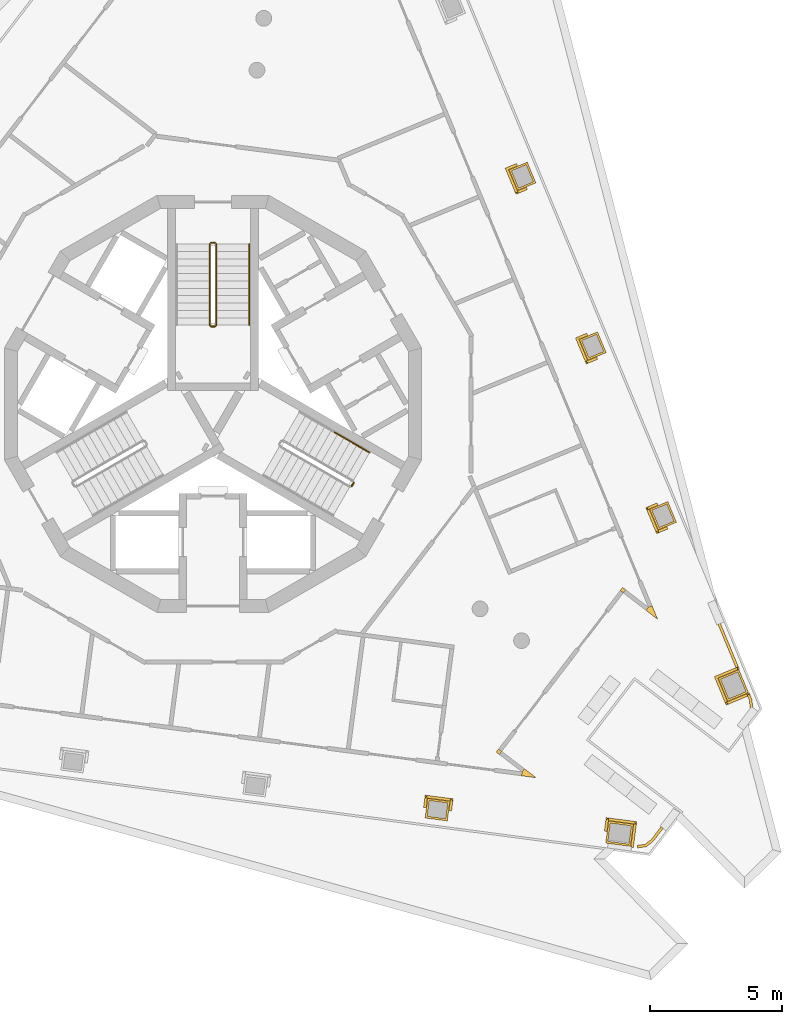
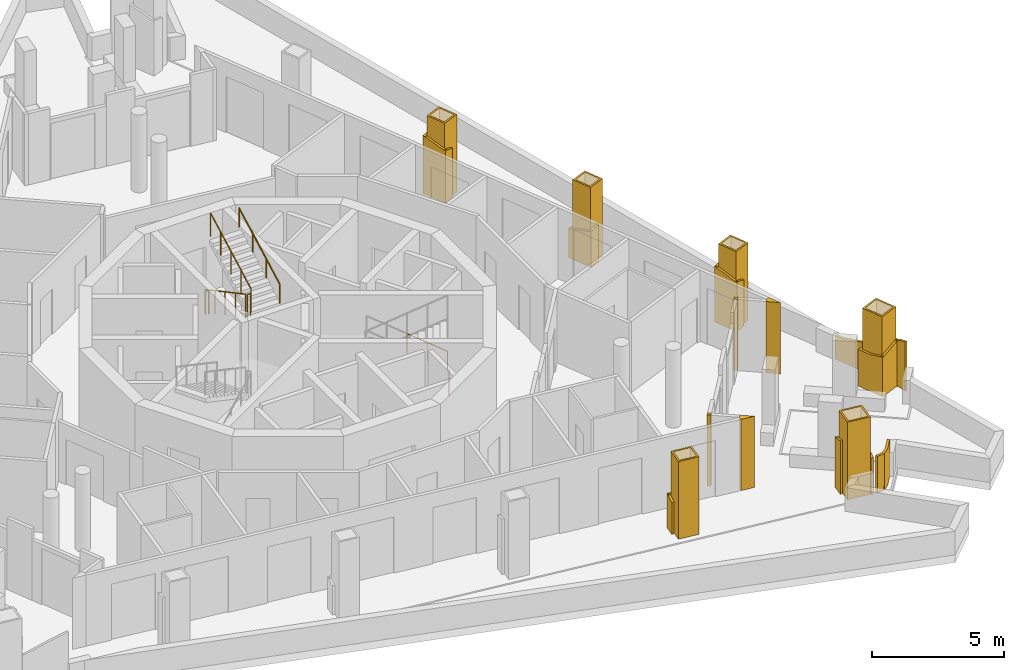
# One storey, part 10 of 12: 14 railings, 10 coverings.
"""IFC4 building model written with IfcOpenShell, lengths in metres."""

from ifc_helpers import new_model, si_unit, direction, frame, origin, origin_2d, place, context, subcontext, project, spatial, polyline, circle, outline, extrude, material, layer, layer_set, type_object, element, save


model = new_model("IFC4")

# Units and contexts
model_context = context("Model", 3, precision=1e-05, world=origin(), true_north=direction((0.0, 1.0)))
body_context = subcontext(model_context, "Body", "Model", "MODEL_VIEW")
ifc_project = project(units=[si_unit("LENGTHUNIT", "METRE"), si_unit("AREAUNIT", "SQUARE_METRE"), si_unit("VOLUMEUNIT", "CUBIC_METRE"), si_unit("PLANEANGLEUNIT", "RADIAN"), si_unit("MASSUNIT", "GRAM", prefix="KILO")], contexts=[model_context])

# Site, building, storey
site_placement = place(None, origin())
site = spatial("IfcSite", under=ifc_project, at=site_placement, CompositionType="ELEMENT")
building_placement = place(site_placement, origin())
building = spatial("IfcBuilding", under=site, at=building_placement, Name="Trine Commons Tower", CompositionType="ELEMENT")
storey_placement = place(building_placement, frame((0.0, 0.0, 271.800048828125)))
storey = spatial("IfcBuildingStorey", under=building, at=storey_placement, Name="L71", CompositionType="ELEMENT", Elevation=271.800048828125)

# Coverings
ifc_material_1 = material(Name="Aluminium-framed insulated wall panel", Category="aluminium")
ifc_layer_1 = layer(ifc_material_1, 0.14990234375)
ifc_layer_set_1 = layer_set([ifc_layer_1], Name="Aluminium-framed insulated wall panel")
covering_type_1 = type_object("IfcCoveringType", Name="Glazing corner post, aluminium", PredefinedType="CLADDING", material=ifc_layer_set_1)
covering_1_placement = place(storey_placement, origin())
element("IfcCovering", 1, at=covering_1_placement, inside=storey, type_object=covering_type_1, Name="Glazing corner post 8-06", PredefinedType="CLADDING", context=body_context, shape_type="SweptSolid", body=[
    extrude(outline(polyline([(96.436767578125, 54.664794921875), (96.880859375, 54.32421875), (96.66650390625, 54.84130859375), (96.528076171875, 54.783935546875), (96.436767578125, 54.664794921875)])), origin(), (0.0, 0.0, 1.0), 3.300048828125),
])
covering_2_placement = place(storey_placement, origin())
element("IfcCovering", 2, at=covering_2_placement, inside=storey, type_object=covering_type_1, Name="Glazing corner post 8-07", PredefinedType="CLADDING", context=body_context, shape_type="SweptSolid", body=[
    extrude(outline(polyline([(95.456298828125, 55.4169921875), (95.575439453125, 55.32568359375), (95.666748046875, 55.44482421875), (95.547607421875, 55.5361328125), (95.456298828125, 55.4169921875)])), origin(), (0.0, 0.0, 1.0), 3.300048828125),
])
covering_3_placement = place(storey_placement, origin())
element("IfcCovering", 3, at=covering_3_placement, inside=storey, type_object=covering_type_1, Name="Glazing corner post 8-08", PredefinedType="CLADDING", context=body_context, shape_type="SweptSolid", body=[
    extrude(outline(polyline([(90.86962890625, 49.193115234375), (90.9609375, 49.312255859375), (90.841796875, 49.403564453125), (90.75048828125, 49.284423828125), (90.86962890625, 49.193115234375)])), origin(), (0.0, 0.0, 1.0), 3.300048828125),
])
covering_4_placement = place(storey_placement, origin())
element("IfcCovering", 4, at=covering_4_placement, inside=storey, type_object=covering_type_1, Name="Glazing corner post 8-09", PredefinedType="CLADDING", context=body_context, shape_type="SweptSolid", body=[
    extrude(outline(polyline([(91.71142578125, 48.383544921875), (92.266357421875, 48.310302734375), (91.822265625, 48.651123046875), (91.73095703125, 48.5322265625), (91.71142578125, 48.383544921875)])), origin(), (0.0, 0.0, 1.0), 3.300048828125),
])
ifc_material_2 = material(Name="Limestone, honed", Category="masonry")
ifc_layer_2 = layer(ifc_material_2, 0.074951171875)
ifc_layer_set_2 = layer_set([ifc_layer_2], Name="Limestone, honed")
covering_type_2 = type_object("IfcCoveringType", Name="Limestone column cladding 75", PredefinedType="CLADDING", material=ifc_layer_set_2)
covering_5_placement = place(storey_placement, origin())
element("IfcCovering", 5, at=covering_5_placement, inside=storey, type_object=covering_type_2, Name="Limestone pier cladding 8-01", PredefinedType="CLADDING", context=body_context, shape_type="SweptSolid", body=[
    extrude(outline(polyline([(95.019287109375, 46.672119140625), (94.908447265625, 45.829345703125), (95.850341796875, 45.705322265625), (95.961181640625, 46.548095703125), (95.019287109375, 46.672119140625)]), holes=[polyline([(95.083984375, 46.587890625), (94.992431640625, 45.893798828125), (95.78564453125, 45.78955078125), (95.877197265625, 46.4833984375), (95.083984375, 46.587890625)])]), origin(), (0.0, 0.0, 1.0), 3.599853515625),
])
covering_6_placement = place(storey_placement, origin())
element("IfcCovering", 6, at=covering_6_placement, inside=storey, type_object=covering_type_2, Name="Limestone pier cladding 8-02", PredefinedType="CLADDING", context=body_context, shape_type="SweptSolid", body=[
    extrude(outline(polyline([(88.1494140625, 47.526123046875), (88.051513671875, 46.78271484375), (88.89404296875, 46.671630859375), (88.991943359375, 47.415283203125), (88.1494140625, 47.526123046875)]), holes=[polyline([(88.2138671875, 47.44189453125), (88.135498046875, 46.84716796875), (88.82958984375, 46.755859375), (88.907958984375, 47.3505859375), (88.2138671875, 47.44189453125)])]), origin(), (0.0, 0.0, 1.0), 3.599853515625),
])
covering_7_placement = place(storey_placement, origin())
element("IfcCovering", 7, at=covering_7_placement, inside=storey, type_object=covering_type_2, Name="Limestone pier cladding 8-15", PredefinedType="CLADDING", context=body_context, shape_type="SweptSolid", body=[
    extrude(outline(polyline([(91.92919921875, 71.6748046875), (91.236083984375, 71.3876953125), (91.5615234375, 70.6025390625), (92.25439453125, 70.8896484375), (91.92919921875, 71.6748046875)]), holes=[polyline([(91.888427734375, 71.576904296875), (91.334228515625, 71.347412109375), (91.60205078125, 70.700439453125), (92.156494140625, 70.93017578125), (91.888427734375, 71.576904296875)])]), origin(), (0.0, 0.0, 1.0), 3.599853515625),
])
covering_8_placement = place(storey_placement, origin())
element("IfcCovering", 8, at=covering_8_placement, inside=storey, type_object=covering_type_2, Name="Limestone pier cladding 8-16", PredefinedType="CLADDING", context=body_context, shape_type="SweptSolid", body=[
    extrude(outline(polyline([(94.597412109375, 65.23291015625), (93.904541015625, 64.94580078125), (94.229736328125, 64.160400390625), (94.922607421875, 64.447509765625), (94.597412109375, 65.23291015625)]), holes=[polyline([(94.556884765625, 65.135009765625), (94.00244140625, 64.9052734375), (94.2705078125, 64.258544921875), (94.82470703125, 64.488037109375), (94.556884765625, 65.135009765625)])]), origin(), (0.0, 0.0, 1.0), 3.599853515625),
])
covering_9_placement = place(storey_placement, origin())
element("IfcCovering", 9, at=covering_9_placement, inside=storey, type_object=covering_type_2, Name="Limestone pier cladding 8-17", PredefinedType="CLADDING", context=body_context, shape_type="SweptSolid", body=[
    extrude(outline(polyline([(97.265625, 58.791015625), (96.57275390625, 58.50390625), (96.898193359375, 57.718505859375), (97.591064453125, 58.005615234375), (97.265625, 58.791015625)]), holes=[polyline([(97.22509765625, 58.69287109375), (96.6708984375, 58.46337890625), (96.938720703125, 57.81640625), (97.492919921875, 58.046142578125), (97.22509765625, 58.69287109375)])]), origin(), (0.0, 0.0, 1.0), 3.599853515625),
])
covering_10_placement = place(storey_placement, origin())
element("IfcCovering", 10, at=covering_10_placement, inside=storey, type_object=covering_type_2, Name="Limestone pier cladding 8-18", PredefinedType="CLADDING", context=body_context, shape_type="SweptSolid", body=[
    extrude(outline(polyline([(99.961181640625, 52.414306640625), (99.17578125, 52.089111328125), (99.539306640625, 51.211181640625), (100.32470703125, 51.53662109375), (99.961181640625, 52.414306640625)]), holes=[polyline([(99.920654296875, 52.31640625), (99.27392578125, 52.04833984375), (99.580078125, 51.309326171875), (100.226806640625, 51.5771484375), (99.920654296875, 52.31640625)])]), origin(), (0.0, 0.0, 1.0), 3.599853515625),
])

# Railings
ifc_material_3 = material(Name="Stainless steel balustrade", Category="steel")
railing_type_1 = type_object("IfcRailingType", Name="Stair guard, steel balustrade 1100", PredefinedType="GUARDRAIL", material=ifc_material_3)
railing_1_placement = place(storey_placement, frame((79.875, 68.570556640625, 0.14990234375)))
element("IfcRailing", 11, at=railing_1_placement, inside=storey, type_object=railing_type_1, Name="L71 ST1D stair guard 1", PredefinedType="GUARDRAIL", context=body_context, shape_type="SweptSolid", body=[
    extrude(circle(Radius=0.02392578125, at=origin_2d()), frame((0.0, 0.0, 1.076171875), z_axis=(0.0, -0.881467505477, 0.472244678941), x_axis=(1.0, 0.0, 0.0)), (0.0, 0.0, 1.0), 3.494140625),
    extrude(circle(Radius=0.02099609375, at=origin_2d()), origin(), (0.0, 0.0, 1.0), 1.052001953125),
    extrude(circle(Radius=0.02099609375, at=origin_2d()), frame((0.0, -0.77001953125, 0.41259765625)), (0.0, 0.0, 1.0), 1.052001953125),
    extrude(circle(Radius=0.02099609375, at=origin_2d()), frame((0.0, -1.5400390625, 0.8251953125)), (0.0, 0.0, 1.0), 1.052001953125),
    extrude(circle(Radius=0.02099609375, at=origin_2d()), frame((0.0, -2.31005859375, 1.237548828125)), (0.0, 0.0, 1.0), 1.052001953125),
    extrude(circle(Radius=0.02099609375, at=origin_2d()), frame((0.0, -3.080078125, 1.650146484375)), (0.0, 0.0, 1.0), 1.052001953125),
])
railing_2_placement = place(storey_placement, frame((79.925048828125, 65.440673828125, 1.800048828125)))
element("IfcRailing", 12, at=railing_2_placement, inside=storey, type_object=railing_type_1, Name="L71 ST1D stair guard 2", PredefinedType="GUARDRAIL", context=body_context, shape_type="SweptSolid", body=[
    extrude(circle(Radius=0.02392578125, at=origin_2d()), frame((0.0, 0.0, 1.076171875), z_axis=(1.0, 0.0, 0.0), x_axis=(0.0, 1.0, 0.0)), (0.0, 0.0, 1.0), 0.14990234375),
    extrude(circle(Radius=0.02099609375, at=origin_2d()), origin(), (0.0, 0.0, 1.0), 1.052001953125),
    extrude(circle(Radius=0.02099609375, at=origin_2d()), frame((0.14990234375, 0.0, 0.0)), (0.0, 0.0, 1.0), 1.052001953125),
])
railing_3_placement = place(storey_placement, frame((80.125, 65.490478515625, 1.949951171875)))
element("IfcRailing", 13, at=railing_3_placement, inside=storey, type_object=railing_type_1, Name="L71 ST1D stair guard 3", PredefinedType="GUARDRAIL", context=body_context, shape_type="SweptSolid", body=[
    extrude(circle(Radius=0.02392578125, at=origin_2d()), frame((0.0, 0.0, 1.076171875), z_axis=(0.0, 0.881496589024, 0.472190389079), x_axis=(-1.0, 0.0, 0.0)), (0.0, 0.0, 1.0), 3.494140625),
    extrude(circle(Radius=0.02099609375, at=origin_2d()), origin(), (0.0, 0.0, 1.0), 1.052001953125),
    extrude(circle(Radius=0.02099609375, at=origin_2d()), frame((0.0, 0.77001953125, 0.41259765625)), (0.0, 0.0, 1.0), 1.052001953125),
    extrude(circle(Radius=0.02099609375, at=origin_2d()), frame((0.0, 1.5400390625, 0.824951171875)), (0.0, 0.0, 1.0), 1.052001953125),
    extrude(circle(Radius=0.02099609375, at=origin_2d()), frame((0.0, 2.31005859375, 1.2373046875)), (0.0, 0.0, 1.0), 1.052001953125),
    extrude(circle(Radius=0.02099609375, at=origin_2d()), frame((0.0, 3.080078125, 1.64990234375)), (0.0, 0.0, 1.0), 1.052001953125),
])
railing_4_placement = place(storey_placement, frame((79.925048828125, 68.62060546875, 0.0)))
element("IfcRailing", 14, at=railing_4_placement, inside=storey, type_object=railing_type_1, Name="L71 ST1D stair guard 4", PredefinedType="GUARDRAIL", context=body_context, shape_type="SweptSolid", body=[
    extrude(circle(Radius=0.02392578125, at=origin_2d()), frame((0.0, 0.0, 1.076171875), z_axis=(1.0, 0.0, 0.0), x_axis=(0.0, 1.0, 0.0)), (0.0, 0.0, 1.0), 0.14990234375),
    extrude(circle(Radius=0.02099609375, at=origin_2d()), origin(), (0.0, 0.0, 1.0), 1.052001953125),
    extrude(circle(Radius=0.02099609375, at=origin_2d()), frame((0.14990234375, 0.0, 0.0)), (0.0, 0.0, 1.0), 1.052001953125),
])
railing_5_placement = place(storey_placement, frame((85.338134765625, 59.504638671875, 0.0)))
element("IfcRailing", 15, at=railing_5_placement, inside=storey, type_object=railing_type_1, Name="L71 ST3D stair guard 4", PredefinedType="GUARDRAIL", context=body_context, shape_type="SweptSolid", body=[
    extrude(circle(Radius=0.02392578125, at=origin_2d()), frame((0.0, 0.0, 1.076171875), z_axis=(-0.499816412211, -0.866131372301, 0.0), x_axis=(0.866131372301, -0.499816412211, 0.0)), (0.0, 0.0, 1.0), 0.14990234375),
    extrude(circle(Radius=0.02099609375, at=origin_2d()), origin(), (0.0, 0.0, 1.0), 1.052001953125),
    extrude(circle(Radius=0.02099609375, at=origin_2d()), frame((-0.074951171875, -0.1298828125, 0.0)), (0.0, 0.0, 1.0), 1.052001953125),
])
ifc_material_4 = material(Name="Stainless steel handrail", Category="steel")
railing_type_2 = type_object("IfcRailingType", Name="Stair handrail, steel 900", PredefinedType="HANDRAIL", material=ifc_material_4)
railing_6_placement = place(storey_placement, frame((81.375, 65.490478515625, 1.949951171875)))
element("IfcRailing", 16, at=railing_6_placement, inside=storey, type_object=railing_type_2, Name="L71 ST1D stair handrail 2", PredefinedType="HANDRAIL", context=body_context, shape_type="SweptSolid", body=[
    extrude(circle(Radius=0.02099609375, at=origin_2d()), frame((0.0, 0.0, 0.87890625), z_axis=(0.0, 0.881496589024, 0.472190389079), x_axis=(-1.0, 0.0, 0.0)), (0.0, 0.0, 1.0), 3.494140625),
    extrude(circle(Radius=0.01513671875, at=origin_2d()), origin(), (0.0, 0.0, 1.0), 0.85791015625),
    extrude(circle(Radius=0.01513671875, at=origin_2d()), frame((0.0, 1.026611328125, 0.550048828125)), (0.0, 0.0, 1.0), 0.85791015625),
    extrude(circle(Radius=0.01513671875, at=origin_2d()), frame((0.0, 2.053466796875, 1.099853515625)), (0.0, 0.0, 1.0), 0.85791015625),
    extrude(circle(Radius=0.01513671875, at=origin_2d()), frame((0.0, 3.080078125, 1.64990234375)), (0.0, 0.0, 1.0), 0.85791015625),
])
railing_7_placement = place(storey_placement, frame((85.94482421875, 60.655517578125, 0.14990234375)))
element("IfcRailing", 17, at=railing_7_placement, inside=storey, type_object=railing_type_2, Name="L71 ST3D stair handrail 1", PredefinedType="HANDRAIL", context=body_context, shape_type="SweptSolid", body=[
    extrude(circle(Radius=0.02099609375, at=origin_2d()), frame((0.0, 0.0, 0.87890625), z_axis=(-0.76340495495, 0.440743040072, 0.472184759798), x_axis=(-0.499992328818, -0.866029832698, 0.0)), (0.0, 0.0, 1.0), 1.7470703125),
    extrude(circle(Radius=0.01513671875, at=origin_2d()), origin(), (0.0, 0.0, 1.0), 0.85791015625),
    extrude(circle(Radius=0.01513671875, at=origin_2d()), frame((-0.6669921875, 0.385009765625, 0.41259765625)), (0.0, 0.0, 1.0), 0.85791015625),
    extrude(circle(Radius=0.01513671875, at=origin_2d()), frame((-1.333740234375, 0.77001953125, 0.824951171875)), (0.0, 0.0, 1.0), 0.85791015625),
])
ifc_material_5 = material(Name="White powder-coated aluminium", Category="aluminium")
ifc_layer_3 = layer(ifc_material_5, 0.10009765625)
ifc_layer_set_3 = layer_set([ifc_layer_3], Name="White powder-coated aluminium")
railing_type_3 = type_object("IfcRailingType", Name="White balustrade band 100", PredefinedType="GUARDRAIL", material=ifc_layer_set_3)
railing_8_placement = place(storey_placement, origin())
element("IfcRailing", 18, at=railing_8_placement, inside=storey, type_object=railing_type_3, Name="Guard band L71", PredefinedType="GUARDRAIL", context=body_context, shape_type="SweptSolid", body=[
    extrude(outline(polyline([(0.0, 0.0), (0.465576171875, 0.0), (0.4658203125, 1.890869140625), (0.4658203125, 1.890869140625), (0.0, 2.04736328125), (0.0, 0.0)])), frame((88.95556640625, 47.06201171875, 0.0), z_axis=(0.991441799286, -0.130549448981, 0.0), x_axis=(0.130549448981, 0.991441799286, 0.0)), (0.0, 0.0, 1.0), 0.10009765625),
    extrude(outline(polyline([(0.0, 0.0), (1.071533203125, 0.0), (1.0712890625, 1.581298828125), (0.53564453125, 1.748046875), (0.0, 1.9248046875), (0.0, 0.0)])), frame((89.102783203125, 47.41064453125, 0.0), z_axis=(0.130566505173, 0.991439553239, 0.0), x_axis=(-0.991439553239, 0.130566505173, 0.0)), (0.0, 0.0, 1.0), 0.10009765625),
    extrude(outline(polyline([(0.0, 0.0), (0.4658203125, 0.0), (0.4658203125, 1.477294921875), (0.0, 1.61181640625), (0.0, 0.0)])), frame((88.15380859375, 47.63720703125, 0.0), z_axis=(-0.991450727966, 0.130481623289, 0.0), x_axis=(-0.130481623289, -0.991450727966, 0.0)), (0.0, 0.0, 1.0), 0.10009765625),
])
railing_9_placement = place(storey_placement, origin())
element("IfcRailing", 19, at=railing_9_placement, inside=storey, type_object=railing_type_3, Name="Guard band L71 16", PredefinedType="GUARDRAIL", context=body_context, shape_type="SweptSolid", body=[
    extrude(outline(polyline([(0.0, 0.0), (0.466064453125, 0.0), (0.466064453125, 2.66943359375), (0.0, 2.763671875), (0.0, 0.0)])), frame((91.560302734375, 71.532958984375, 0.0), z_axis=(-0.382829723782, 0.923818923052, 0.0), x_axis=(-0.923818923052, -0.382829723782, 0.0)), (0.0, 0.0, 1.0), 0.10009765625),
    extrude(outline(polyline([(0.0, 0.0), (1.072021484375, 0.0), (1.072021484375, 2.412841796875), (0.5361328125, 2.563720703125), (0.0, 2.692138671875), (0.0, 0.0)])), frame((91.184326171875, 71.486328125, 0.0), z_axis=(-0.923836407778, -0.382787528093, 0.0), x_axis=(0.382787528093, -0.923836407778, 0.0)), (0.0, 0.0, 1.0), 0.10009765625),
    extrude(outline(polyline([(0.0, 0.0), (0.46533203125, 0.0), (0.46533203125, 2.30078125), (0.0, 2.443115234375), (0.0, 0.0)])), frame((91.463134765625, 70.551025390625, 0.0), z_axis=(0.382938598764, -0.92377379784, 0.0), x_axis=(0.92377379784, 0.382938598764, 0.0)), (0.0, 0.0, 1.0), 0.10009765625),
])
railing_10_placement = place(storey_placement, origin())
element("IfcRailing", 20, at=railing_10_placement, inside=storey, type_object=railing_type_3, Name="Guard band L71 17", PredefinedType="GUARDRAIL", context=body_context, shape_type="SweptSolid", body=[
    extrude(outline(polyline([(0.0, 0.0), (0.465576171875, 0.0), (0.4658203125, 1.384765625), (0.0, 1.2802734375), (0.0, 0.0)])), frame((94.228515625, 65.091064453125, 0.0), z_axis=(-0.382753113792, 0.92385066644, 0.0), x_axis=(-0.92385066644, -0.382753113792, 0.0)), (0.0, 0.0, 1.0), 0.10009765625),
    extrude(outline(polyline([(0.0, 0.0), (1.071533203125, 0.0), (1.071533203125, 1.657470703125), (0.535888671875, 1.498779296875), (0.0, 1.3603515625), (0.0, 0.0)])), frame((93.852783203125, 65.044189453125, 0.0), z_axis=(-0.92385020922, -0.382754217383, 0.0), x_axis=(0.382754217383, -0.92385020922, 0.0)), (0.0, 0.0, 1.0), 0.10009765625),
    extrude(outline(polyline([(0.0, 0.0), (0.4658203125, 0.0), (0.4658203125, 1.7734375), (0.0, 1.6259765625), (0.0, 0.0)])), frame((94.13134765625, 64.10888671875, 0.0), z_axis=(0.38256779302, -0.923927423418, 0.0), x_axis=(0.923927423418, 0.38256779302, 0.0)), (0.0, 0.0, 1.0), 0.10009765625),
])
railing_11_placement = place(storey_placement, origin())
element("IfcRailing", 21, at=railing_11_placement, inside=storey, type_object=railing_type_3, Name="Guard band L71 18", PredefinedType="GUARDRAIL", context=body_context, shape_type="SweptSolid", body=[
    extrude(outline(polyline([(0.0, 0.0), (0.46630859375, 0.0), (0.46630859375, 2.555908203125), (0.0, 2.670166015625), (0.0, 0.0)])), frame((96.89697265625, 58.64892578125, 0.0), z_axis=(-0.382644588695, 0.92389562113, 0.0), x_axis=(-0.92389562113, -0.382644588695, 0.0)), (0.0, 0.0, 1.0), 0.10009765625),
    extrude(outline(polyline([(0.0, 0.0), (1.07177734375, 0.0), (1.072021484375, 2.26904296875), (0.535888671875, 2.4345703125), (0.0, 2.58251953125), (0.0, 0.0)])), frame((96.521240234375, 58.60205078125, 0.0), z_axis=(-0.923883575944, -0.382673670509, 0.0), x_axis=(0.382673670509, -0.923883575944, 0.0)), (0.0, 0.0, 1.0), 0.10009765625),
    extrude(outline(polyline([(0.0, 0.0), (0.4658203125, 0.0), (0.4658203125, 2.150146484375), (0.0, 2.301513671875), (0.0, 0.0)])), frame((96.799560546875, 57.6669921875, 0.0), z_axis=(0.38256779302, -0.923927423418, 0.0), x_axis=(0.923927423418, 0.38256779302, 0.0)), (0.0, 0.0, 1.0), 0.10009765625),
])
railing_12_placement = place(storey_placement, origin())
element("IfcRailing", 22, at=railing_12_placement, inside=storey, type_object=railing_type_3, Name="Guard band L71 19", PredefinedType="GUARDRAIL", context=body_context, shape_type="SweptSolid", body=[
    extrude(outline(polyline([(0.0, 0.0), (1.888427734375, 0.0), (1.88818359375, 1.478515625), (1.131591796875, 1.289306640625), (0.374755859375, 1.10400390625), (0.119384765625, 1.099853515625), (0.0, 1.103759765625), (0.0, 0.0)])), frame((99.258056640625, 54.1767578125, 0.0), z_axis=(-0.923878166555, -0.382686730059, 0.0), x_axis=(0.382686730059, -0.923878166555, 0.0)), (0.0, 0.0, 1.0), 0.10009765625),
    extrude(outline(polyline([(0.0, 0.0), (0.986328125, 0.0), (0.986328125, 1.699951171875), (0.4931640625, 1.657470703125), (0.0, 1.44384765625), (0.0, 0.0)])), frame((99.980712890625, 52.433349609375, 0.0), z_axis=(-0.382716180391, 0.923865967155, 0.0), x_axis=(-0.923865967155, -0.382716180391, 0.0)), (0.0, 0.0, 1.0), 0.10009765625),
    extrude(outline(polyline([(0.0, 0.0), (1.171630859375, 0.0), (1.171630859375, 1.839111328125), (0.585693359375, 1.699951171875), (0.0, 1.699951171875), (0.0, 0.0)])), frame((99.124267578125, 52.187255859375, 0.0), z_axis=(-0.923851753599, -0.382750489707, 0.0), x_axis=(0.382750489707, -0.923851753599, 0.0)), (0.0, 0.0, 1.0), 0.10009765625),
    extrude(outline(polyline([(0.0, 0.0), (0.98681640625, 0.0), (0.98681640625, 2.13525390625), (0.493408203125, 1.969970703125), (0.0, 1.8056640625), (0.0, 0.0)])), frame((99.441162109375, 51.15966796875, 0.0), z_axis=(0.382752394713, -0.923850964356, 0.0), x_axis=(0.923850964356, 0.382752394713, 0.0)), (0.0, 0.0, 1.0), 0.10009765625),
    extrude(outline(polyline([(0.0, 0.0), (0.26171875, 0.0), (0.26171875, 2.18798828125), (0.0, 2.10107421875), (0.0, 0.0)])), frame((100.351318359375, 51.53759765625, 0.0), z_axis=(-0.924039549932, -0.382296887459, 0.0), x_axis=(0.382296887459, -0.924039549932, 0.0)), (0.0, 0.0, 1.0), 0.10009765625),
    extrude(outline(polyline([(0.0, 0.0), (0.332763671875, 0.0), (0.332763671875, 2.290771484375), (0.0, 2.182861328125), (0.0, 0.0)])), frame((100.450927734375, 51.2978515625, 0.0), z_axis=(-0.991526585474, -0.129903927186, 0.0), x_axis=(0.129903927186, -0.991526585474, 0.0)), (0.0, 0.0, 1.0), 0.10009765625),
])
railing_13_placement = place(storey_placement, origin())
element("IfcRailing", 23, at=railing_13_placement, inside=storey, type_object=railing_type_3, Name="Guard band L71 20", PredefinedType="GUARDRAIL", context=body_context, shape_type="SweptSolid", body=[
    extrude(outline(polyline([(0.0, 0.0), (0.633544921875, 0.0), (0.63330078125, 1.699951171875), (0.0, 1.699951171875), (0.0, 0.0)])), frame((97.08935546875, 46.39111328125, 0.0), z_axis=(-0.79319675591, 0.608965439425, 0.0), x_axis=(-0.608965439425, -0.79319675591, 0.0)), (0.0, 0.0, 1.0), 0.10009765625),
    extrude(outline(polyline([(0.0, 0.0), (0.332275390625, 0.0), (0.33203125, 1.699951171875), (0.0, 1.699951171875), (0.0, 0.0)])), frame((96.705322265625, 45.89013671875, 0.0), z_axis=(-0.608431543657, 0.793606361292, 0.0), x_axis=(-0.793606361292, -0.608431543657, 0.0)), (0.0, 0.0, 1.0), 0.10009765625),
    extrude(outline(polyline([(0.0, 0.0), (0.331787109375, 0.0), (0.331787109375, 1.699951171875), (0.0, 1.699951171875), (0.0, 0.0)])), frame((96.442626953125, 45.688720703125, 0.0), z_axis=(-0.131006611748, 0.991381494521, 0.0), x_axis=(-0.991381494521, -0.131006611748, 0.0)), (0.0, 0.0, 1.0), 0.10009765625),
])
railing_14_placement = place(storey_placement, origin())
element("IfcRailing", 24, at=railing_14_placement, inside=storey, type_object=railing_type_3, Name="Guard band L71 21", PredefinedType="GUARDRAIL", context=body_context, shape_type="SweptSolid", body=[
    extrude(outline(polyline([(0.0, 0.0), (0.98681640625, 0.0), (0.98681640625, 1.997802734375), (0.493408203125, 1.832763671875), (0.0, 1.699951171875), (0.0, 0.0)])), frame((95.85693359375, 45.6787109375, 0.0), z_axis=(0.991461873488, -0.130396907244, 0.0), x_axis=(0.130396907244, 0.991461873488, 0.0)), (0.0, 0.0, 1.0), 0.10009765625),
    extrude(outline(polyline([(0.0, 0.0), (1.171875, 0.0), (1.171875, 2.34814453125), (0.5859375, 2.15966796875), (0.0, 1.963623046875), (0.0, 0.0)])), frame((96.072265625, 46.54345703125, 0.0), z_axis=(0.130621570095, 0.991432299971, 0.0), x_axis=(-0.991432299971, 0.130621570095, 0.0)), (0.0, 0.0, 1.0), 0.10009765625),
    extrude(outline(polyline([(0.0, 0.0), (0.515869140625, 0.0), (0.515869140625, 2.471435546875), (0.49365234375, 2.46533203125), (0.0, 2.316162109375), (0.0, 0.0)])), frame((95.02392578125, 46.783203125, 0.0), z_axis=(-0.991433343041, 0.13061365283, 0.0), x_axis=(-0.13061365283, -0.991433343041, 0.0)), (0.0, 0.0, 1.0), 0.10009765625),
])

save(model, "model.ifc")
